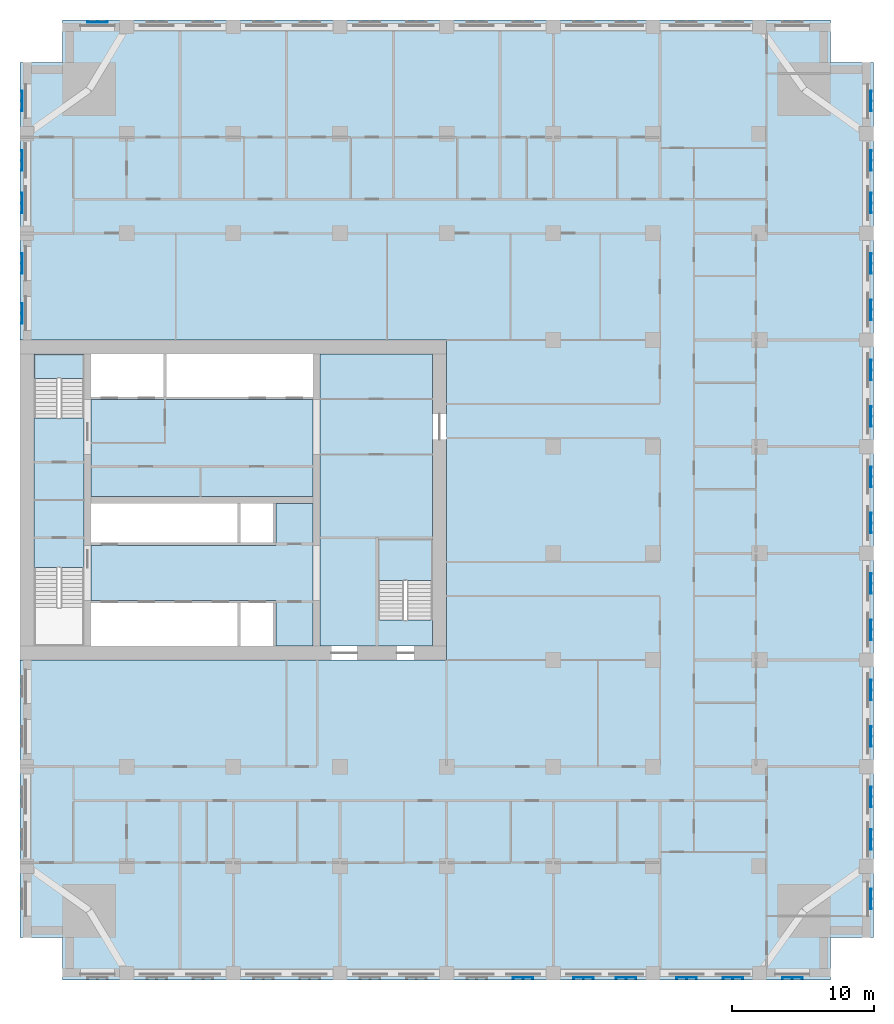
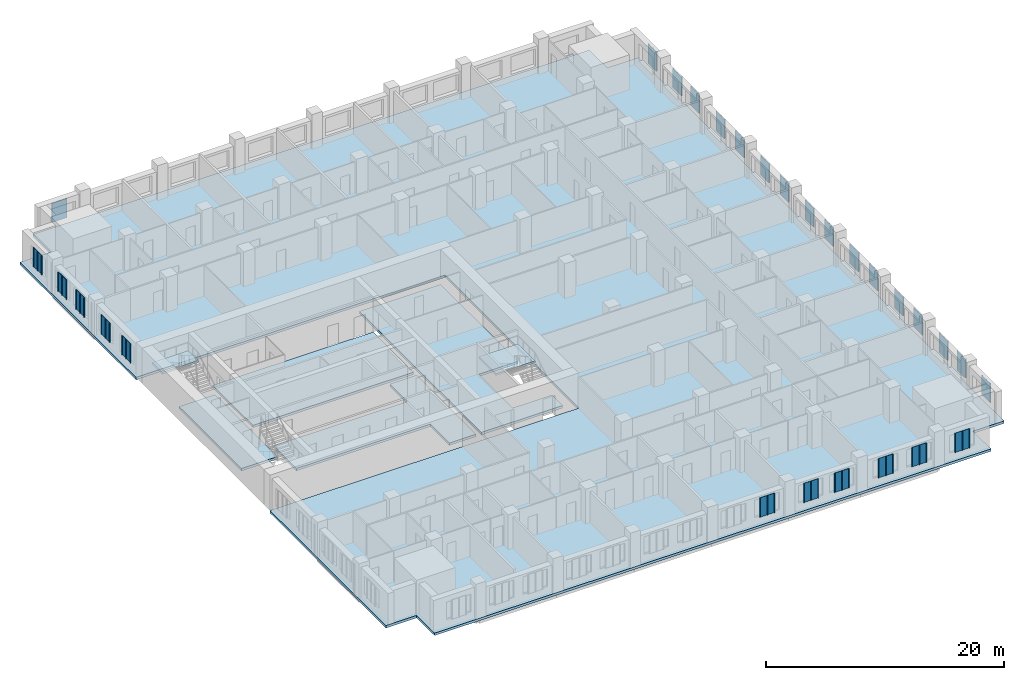
# One storey, part 2 of 14: 28 plates, 7 slabs, 2 elements without a shape of their own.
"""IFC4 building model written with IfcOpenShell, lengths in metres."""

from ifc_helpers import new_model, si_unit, direction, frame, origin, place, context, subcontext, project, spatial, polyline, outline, extrude, material, layer, layer_set, type_object, element, aggregate, save


model = new_model("IFC4")

# Units and contexts
model_context = context("Model", 3, precision=1e-05, world=origin(), true_north=direction((0.0, 1.0)))
body_context = subcontext(model_context, "Body", "Model", "MODEL_VIEW")
ifc_project = project(units=[si_unit("LENGTHUNIT", "METRE"), si_unit("AREAUNIT", "SQUARE_METRE"), si_unit("VOLUMEUNIT", "CUBIC_METRE"), si_unit("PLANEANGLEUNIT", "RADIAN"), si_unit("MASSUNIT", "GRAM", prefix="KILO")], contexts=[model_context])

# Site, building, storey
site_placement = place(None, origin())
site = spatial("IfcSite", under=ifc_project, at=site_placement, CompositionType="ELEMENT")
building_placement = place(site_placement, origin())
building = spatial("IfcBuilding", under=site, at=building_placement, Name="Tamorin Gate", CompositionType="ELEMENT")
storey_placement = place(building_placement, frame((0.0, 0.0, 115.10009765625)))
storey = spatial("IfcBuildingStorey", under=building, at=storey_placement, Name="L28", CompositionType="ELEMENT", Elevation=115.10009765625)

# Slabs
ifc_material_1 = material(Name="Concrete C40/50", Category="concrete")
ifc_layer_1 = layer(ifc_material_1, 0.25)
ifc_layer_set_1 = layer_set([ifc_layer_1], Name="Core floor slab 250 C40/50")
slab_type_1 = type_object("IfcSlabType", Name="Core floor slab 250 C40/50", PredefinedType="FLOOR", material=ifc_layer_set_1)
slab_1_placement = place(storey_placement, frame((0.0, 0.0, -0.25)))
element("IfcSlab", 1, at=slab_1_placement, inside=storey, type_object=slab_type_1, Name="Core floor L28", PredefinedType="FLOOR", context=body_context, shape_type="SweptSolid", body=[
    extrude(outline(polyline([(59.0, 62.800048828125), (59.0, 61.0), (51.10009765625, 61.0), (51.10009765625, 81.5), (59.0, 81.5), (59.0, 68.5), (55.199951171875, 68.5), (55.199951171875, 62.800048828125), (59.0, 62.800048828125)])), origin(), (0.0, 0.0, 1.0), 0.25),
])
slab_2_placement = place(storey_placement, frame((0.0, 0.0, -0.25)))
element("IfcSlab", 2, at=slab_2_placement, inside=storey, type_object=slab_type_1, Name="Core floor L28", PredefinedType="FLOOR", context=body_context, shape_type="SweptSolid", body=[
    extrude(outline(polyline([(50.60009765625, 61.0), (48.0, 61.0), (48.0, 64.199951171875), (35.0, 64.199951171875), (35.0, 68.050048828125), (48.0, 68.050048828125), (48.0, 71.0), (50.60009765625, 71.0), (50.60009765625, 61.0)])), origin(), (0.0, 0.0, 1.0), 0.25),
])
slab_3_placement = place(storey_placement, frame((0.0, 0.0, -0.25)))
element("IfcSlab", 3, at=slab_3_placement, inside=storey, type_object=slab_type_1, Name="Core floor L28", PredefinedType="FLOOR", context=body_context, shape_type="SweptSolid", body=[
    extrude(outline(polyline([(50.60009765625, 71.5), (35.0, 71.5), (35.0, 78.300048828125), (50.60009765625, 78.300048828125), (50.60009765625, 71.5)])), origin(), (0.0, 0.0, 1.0), 0.25),
])
slab_4_placement = place(storey_placement, frame((0.0, 0.0, -0.25)))
element("IfcSlab", 4, at=slab_4_placement, inside=storey, type_object=slab_type_1, Name="Core floor L28", PredefinedType="FLOOR", context=body_context, shape_type="SweptSolid", body=[
    extrude(outline(polyline([(31.0, 66.5), (31.0, 77.0), (34.5, 77.0), (34.5, 66.5), (31.0, 66.5)])), origin(), (0.0, 0.0, 1.0), 0.25),
])

# Stair, slab
stair_type = type_object("IfcStairType", Name="Exit stair", PredefinedType="HALF_TURN_STAIR", material=ifc_material_1)
stair_1_placement = place(storey_placement, origin())
stair_1 = element("IfcStair", 5, at=stair_1_placement, inside=storey, type_object=stair_type, Name="L28 stair ST2", PredefinedType="HALF_TURN_STAIR")
ifc_layer_2 = layer(ifc_material_1, 0.199951171875)
ifc_layer_set_2 = layer_set([ifc_layer_2], Name="Exit stair landing 200")
slab_type_2 = type_object("IfcSlabType", Name="Exit stair landing 200", PredefinedType="LANDING", material=ifc_layer_set_2)
slab_5_placement = place(storey_placement, frame((0.0, 0.0, 1.599853515625)))
slab_5 = element("IfcSlab", 6, at=slab_5_placement, type_object=slab_type_2, Name="ST2 landing 1", PredefinedType="LANDING", context=body_context, shape_type="SweptSolid", body=[
    extrude(outline(polyline([(34.5, 79.800048828125), (34.5, 81.5), (31.0, 81.5), (31.0, 79.800048828125), (34.5, 79.800048828125)])), origin(), (0.0, 0.0, 1.0), 0.199951171875),
])
aggregate(stair_1, [slab_5])

stair_2_placement = place(storey_placement, origin())
stair_2 = element("IfcStair", 7, at=stair_2_placement, inside=storey, type_object=stair_type, Name="L28 stair ST3", PredefinedType="HALF_TURN_STAIR")
slab_6_placement = place(storey_placement, frame((0.0, 0.0, 1.599853515625)))
slab_6 = element("IfcSlab", 8, at=slab_6_placement, type_object=slab_type_2, Name="ST3 landing 1", PredefinedType="LANDING", context=body_context, shape_type="SweptSolid", body=[
    extrude(outline(polyline([(59.0, 65.60009765625), (59.0, 68.5), (55.199951171875, 68.5), (55.199951171875, 65.60009765625), (59.0, 65.60009765625)])), origin(), (0.0, 0.0, 1.0), 0.199951171875),
])
aggregate(stair_2, [slab_6])

# Slab
ifc_layer_3 = layer(ifc_material_1, 0.25)
ifc_layer_set_3 = layer_set([ifc_layer_3], Name="Floor slab 250 C40/50")
slab_type_3 = type_object("IfcSlabType", Name="Floor slab 250 C40/50", PredefinedType="FLOOR", material=ifc_layer_set_3)
slab_7_placement = place(storey_placement, frame((0.0, 0.0, -0.25)))
element("IfcSlab", 9, at=slab_7_placement, inside=storey, type_object=slab_type_3, Name="Floor L28", PredefinedType="FLOOR", context=body_context, shape_type="SweptSolid", body=[
    extrude(outline(polyline([(30.0, 102.0), (33.0, 102.0), (33.0, 105.0), (87.0, 105.0), (87.0, 102.0), (90.0, 102.0), (90.0, 40.5), (87.0, 40.5), (87.0, 37.5), (33.0, 37.5), (33.0, 40.5), (30.0, 40.5), (30.0, 60.0), (60.0, 60.0), (60.0, 82.5), (30.0, 82.5), (30.0, 102.0)])), origin(), (0.0, 0.0, 1.0), 0.25),
])

# Plates
ifc_material_2 = material(Name="Perforated pale aluminium sheet", Category="aluminium")
ifc_layer_4 = layer(ifc_material_2, 0.0400390625)
ifc_layer_set_4 = layer_set([ifc_layer_4], Name="Pale metal solar screen 1440")
plate_type = type_object("IfcPlateType", Name="Pale metal solar screen 1440", PredefinedType="SHEET", material=ifc_layer_set_4)
plate_1_placement = place(storey_placement, frame((0.0, 0.0, 0.7099609375)))
element("IfcPlate", 10, at=plate_1_placement, inside=storey, type_object=plate_type, Name="Perforated solar screen", PredefinedType="SHEET", context=body_context, shape_type="SweptSolid", body=[
    extrude(outline(polyline([(64.655029296875, 37.659912109375), (64.655029296875, 37.699951171875), (64.715087890625, 37.699951171875), (65.344970703125, 37.699951171875), (65.405029296875, 37.699951171875), (66.034912109375, 37.699951171875), (66.094970703125, 37.699951171875), (66.094970703125, 37.659912109375), (66.094970703125, 37.60009765625), (66.034912109375, 37.60009765625), (66.034912109375, 37.659912109375), (65.405029296875, 37.659912109375), (65.405029296875, 37.60009765625), (65.344970703125, 37.60009765625), (65.344970703125, 37.659912109375), (64.715087890625, 37.659912109375), (64.715087890625, 37.60009765625), (64.655029296875, 37.60009765625), (64.655029296875, 37.659912109375)])), origin(), (0.0, 0.0, 1.0), 1.97998046875),
])
plate_2_placement = place(storey_placement, frame((0.0, 0.0, 0.7099609375)))
element("IfcPlate", 11, at=plate_2_placement, inside=storey, type_object=plate_type, Name="Perforated solar screen", PredefinedType="SHEET", context=body_context, shape_type="SweptSolid", body=[
    extrude(outline(polyline([(68.905029296875, 37.659912109375), (68.905029296875, 37.699951171875), (68.965087890625, 37.699951171875), (69.594970703125, 37.699951171875), (69.655029296875, 37.699951171875), (70.284912109375, 37.699951171875), (70.344970703125, 37.699951171875), (70.344970703125, 37.659912109375), (70.344970703125, 37.60009765625), (70.284912109375, 37.60009765625), (70.284912109375, 37.659912109375), (69.655029296875, 37.659912109375), (69.655029296875, 37.60009765625), (69.594970703125, 37.60009765625), (69.594970703125, 37.659912109375), (68.965087890625, 37.659912109375), (68.965087890625, 37.60009765625), (68.905029296875, 37.60009765625), (68.905029296875, 37.659912109375)])), origin(), (0.0, 0.0, 1.0), 1.97998046875),
])
plate_3_placement = place(storey_placement, frame((0.0, 0.0, 0.7099609375)))
element("IfcPlate", 12, at=plate_3_placement, inside=storey, type_object=plate_type, Name="Perforated solar screen", PredefinedType="SHEET", context=body_context, shape_type="SweptSolid", body=[
    extrude(outline(polyline([(71.905029296875, 37.659912109375), (71.905029296875, 37.699951171875), (71.965087890625, 37.699951171875), (72.594970703125, 37.699951171875), (72.655029296875, 37.699951171875), (73.284912109375, 37.699951171875), (73.344970703125, 37.699951171875), (73.344970703125, 37.659912109375), (73.344970703125, 37.60009765625), (73.284912109375, 37.60009765625), (73.284912109375, 37.659912109375), (72.655029296875, 37.659912109375), (72.655029296875, 37.60009765625), (72.594970703125, 37.60009765625), (72.594970703125, 37.659912109375), (71.965087890625, 37.659912109375), (71.965087890625, 37.60009765625), (71.905029296875, 37.60009765625), (71.905029296875, 37.659912109375)])), origin(), (0.0, 0.0, 1.0), 1.97998046875),
])
plate_4_placement = place(storey_placement, frame((0.0, 0.0, 0.7099609375)))
element("IfcPlate", 13, at=plate_4_placement, inside=storey, type_object=plate_type, Name="Perforated solar screen", PredefinedType="SHEET", context=body_context, shape_type="SweptSolid", body=[
    extrude(outline(polyline([(76.155029296875, 37.659912109375), (76.155029296875, 37.699951171875), (76.215087890625, 37.699951171875), (76.844970703125, 37.699951171875), (76.905029296875, 37.699951171875), (77.534912109375, 37.699951171875), (77.594970703125, 37.699951171875), (77.594970703125, 37.659912109375), (77.594970703125, 37.60009765625), (77.534912109375, 37.60009765625), (77.534912109375, 37.659912109375), (76.905029296875, 37.659912109375), (76.905029296875, 37.60009765625), (76.844970703125, 37.60009765625), (76.844970703125, 37.659912109375), (76.215087890625, 37.659912109375), (76.215087890625, 37.60009765625), (76.155029296875, 37.60009765625), (76.155029296875, 37.659912109375)])), origin(), (0.0, 0.0, 1.0), 1.97998046875),
])
plate_5_placement = place(storey_placement, frame((0.0, 0.0, 0.7099609375)))
element("IfcPlate", 14, at=plate_5_placement, inside=storey, type_object=plate_type, Name="Perforated solar screen", PredefinedType="SHEET", context=body_context, shape_type="SweptSolid", body=[
    extrude(outline(polyline([(79.405029296875, 37.659912109375), (79.405029296875, 37.699951171875), (79.465087890625, 37.699951171875), (80.094970703125, 37.699951171875), (80.155029296875, 37.699951171875), (80.784912109375, 37.699951171875), (80.844970703125, 37.699951171875), (80.844970703125, 37.659912109375), (80.844970703125, 37.60009765625), (80.784912109375, 37.60009765625), (80.784912109375, 37.659912109375), (80.155029296875, 37.659912109375), (80.155029296875, 37.60009765625), (80.094970703125, 37.60009765625), (80.094970703125, 37.659912109375), (79.465087890625, 37.659912109375), (79.465087890625, 37.60009765625), (79.405029296875, 37.60009765625), (79.405029296875, 37.659912109375)])), origin(), (0.0, 0.0, 1.0), 1.97998046875),
])
plate_6_placement = place(storey_placement, frame((0.0, 0.0, 0.7099609375)))
element("IfcPlate", 15, at=plate_6_placement, inside=storey, type_object=plate_type, Name="Perforated solar screen", PredefinedType="SHEET", context=body_context, shape_type="SweptSolid", body=[
    extrude(outline(polyline([(83.580078125, 37.659912109375), (83.580078125, 37.699951171875), (83.639892578125, 37.699951171875), (84.27001953125, 37.699951171875), (84.330078125, 37.699951171875), (84.9599609375, 37.699951171875), (85.02001953125, 37.699951171875), (85.02001953125, 37.659912109375), (85.02001953125, 37.60009765625), (84.9599609375, 37.60009765625), (84.9599609375, 37.659912109375), (84.330078125, 37.659912109375), (84.330078125, 37.60009765625), (84.27001953125, 37.60009765625), (84.27001953125, 37.659912109375), (83.639892578125, 37.659912109375), (83.639892578125, 37.60009765625), (83.580078125, 37.60009765625), (83.580078125, 37.659912109375)])), origin(), (0.0, 0.0, 1.0), 1.97998046875),
])
plate_7_placement = place(storey_placement, frame((0.0, 0.0, 0.7099609375)))
element("IfcPlate", 16, at=plate_7_placement, inside=storey, type_object=plate_type, Name="Perforated solar screen", PredefinedType="SHEET", context=body_context, shape_type="SweptSolid", body=[
    extrude(outline(polyline([(89.840087890625, 42.47998046875), (89.800048828125, 42.47998046875), (89.800048828125, 42.5400390625), (89.800048828125, 43.169921875), (89.800048828125, 43.22998046875), (89.800048828125, 43.860107421875), (89.800048828125, 43.919921875), (89.840087890625, 43.919921875), (89.89990234375, 43.919921875), (89.89990234375, 43.860107421875), (89.840087890625, 43.860107421875), (89.840087890625, 43.22998046875), (89.89990234375, 43.22998046875), (89.89990234375, 43.169921875), (89.840087890625, 43.169921875), (89.840087890625, 42.5400390625), (89.89990234375, 42.5400390625), (89.89990234375, 42.47998046875), (89.840087890625, 42.47998046875)])), origin(), (0.0, 0.0, 1.0), 1.97998046875),
])
plate_8_placement = place(storey_placement, frame((0.0, 0.0, 0.7099609375)))
element("IfcPlate", 17, at=plate_8_placement, inside=storey, type_object=plate_type, Name="Perforated solar screen", PredefinedType="SHEET", context=body_context, shape_type="SweptSolid", body=[
    extrude(outline(polyline([(89.840087890625, 46.655029296875), (89.800048828125, 46.655029296875), (89.800048828125, 46.715087890625), (89.800048828125, 47.344970703125), (89.800048828125, 47.405029296875), (89.800048828125, 48.034912109375), (89.800048828125, 48.094970703125), (89.800048828125, 48.094970703125), (89.840087890625, 48.094970703125), (89.840087890625, 48.094970703125), (89.89990234375, 48.094970703125), (89.89990234375, 48.034912109375), (89.840087890625, 48.034912109375), (89.840087890625, 47.405029296875), (89.89990234375, 47.405029296875), (89.89990234375, 47.344970703125), (89.840087890625, 47.344970703125), (89.840087890625, 46.715087890625), (89.89990234375, 46.715087890625), (89.89990234375, 46.655029296875), (89.840087890625, 46.655029296875)])), origin(), (0.0, 0.0, 1.0), 1.97998046875),
])
plate_9_placement = place(storey_placement, frame((0.0, 0.0, 0.7099609375)))
element("IfcPlate", 18, at=plate_9_placement, inside=storey, type_object=plate_type, Name="Perforated solar screen", PredefinedType="SHEET", context=body_context, shape_type="SweptSolid", body=[
    extrude(outline(polyline([(89.840087890625, 49.655029296875), (89.800048828125, 49.655029296875), (89.800048828125, 49.715087890625), (89.800048828125, 50.344970703125), (89.800048828125, 50.405029296875), (89.800048828125, 51.034912109375), (89.800048828125, 51.094970703125), (89.840087890625, 51.094970703125), (89.89990234375, 51.094970703125), (89.89990234375, 51.034912109375), (89.840087890625, 51.034912109375), (89.840087890625, 50.405029296875), (89.89990234375, 50.405029296875), (89.89990234375, 50.344970703125), (89.840087890625, 50.344970703125), (89.840087890625, 49.715087890625), (89.89990234375, 49.715087890625), (89.89990234375, 49.655029296875), (89.840087890625, 49.655029296875)])), origin(), (0.0, 0.0, 1.0), 1.97998046875),
])
plate_10_placement = place(storey_placement, frame((0.0, 0.0, 0.7099609375)))
element("IfcPlate", 19, at=plate_10_placement, inside=storey, type_object=plate_type, Name="Perforated solar screen", PredefinedType="SHEET", context=body_context, shape_type="SweptSolid", body=[
    extrude(outline(polyline([(89.840087890625, 53.905029296875), (89.800048828125, 53.905029296875), (89.800048828125, 53.965087890625), (89.800048828125, 54.594970703125), (89.800048828125, 54.655029296875), (89.800048828125, 55.284912109375), (89.800048828125, 55.344970703125), (89.840087890625, 55.344970703125), (89.89990234375, 55.344970703125), (89.89990234375, 55.284912109375), (89.840087890625, 55.284912109375), (89.840087890625, 54.655029296875), (89.89990234375, 54.655029296875), (89.89990234375, 54.594970703125), (89.840087890625, 54.594970703125), (89.840087890625, 53.965087890625), (89.89990234375, 53.965087890625), (89.89990234375, 53.905029296875), (89.840087890625, 53.905029296875)])), origin(), (0.0, 0.0, 1.0), 1.97998046875),
])
plate_11_placement = place(storey_placement, frame((0.0, 0.0, 0.7099609375)))
element("IfcPlate", 20, at=plate_11_placement, inside=storey, type_object=plate_type, Name="Perforated solar screen", PredefinedType="SHEET", context=body_context, shape_type="SweptSolid", body=[
    extrude(outline(polyline([(89.840087890625, 57.155029296875), (89.800048828125, 57.155029296875), (89.800048828125, 57.215087890625), (89.800048828125, 57.844970703125), (89.800048828125, 57.905029296875), (89.800048828125, 58.534912109375), (89.800048828125, 58.594970703125), (89.840087890625, 58.594970703125), (89.89990234375, 58.594970703125), (89.89990234375, 58.534912109375), (89.840087890625, 58.534912109375), (89.840087890625, 57.905029296875), (89.89990234375, 57.905029296875), (89.89990234375, 57.844970703125), (89.840087890625, 57.844970703125), (89.840087890625, 57.215087890625), (89.89990234375, 57.215087890625), (89.89990234375, 57.155029296875), (89.840087890625, 57.155029296875)])), origin(), (0.0, 0.0, 1.0), 1.97998046875),
])
plate_12_placement = place(storey_placement, frame((0.0, 0.0, 0.7099609375)))
element("IfcPlate", 21, at=plate_12_placement, inside=storey, type_object=plate_type, Name="Perforated solar screen", PredefinedType="SHEET", context=body_context, shape_type="SweptSolid", body=[
    extrude(outline(polyline([(89.840087890625, 61.405029296875), (89.800048828125, 61.405029296875), (89.800048828125, 61.465087890625), (89.800048828125, 62.094970703125), (89.800048828125, 62.155029296875), (89.800048828125, 62.784912109375), (89.800048828125, 62.844970703125), (89.840087890625, 62.844970703125), (89.89990234375, 62.844970703125), (89.89990234375, 62.784912109375), (89.840087890625, 62.784912109375), (89.840087890625, 62.155029296875), (89.89990234375, 62.155029296875), (89.89990234375, 62.094970703125), (89.840087890625, 62.094970703125), (89.840087890625, 61.465087890625), (89.89990234375, 61.465087890625), (89.89990234375, 61.405029296875), (89.840087890625, 61.405029296875)])), origin(), (0.0, 0.0, 1.0), 1.97998046875),
])
plate_13_placement = place(storey_placement, frame((0.0, 0.0, 0.7099609375)))
element("IfcPlate", 22, at=plate_13_placement, inside=storey, type_object=plate_type, Name="Perforated solar screen", PredefinedType="SHEET", context=body_context, shape_type="SweptSolid", body=[
    extrude(outline(polyline([(89.840087890625, 64.655029296875), (89.800048828125, 64.655029296875), (89.800048828125, 64.715087890625), (89.800048828125, 65.344970703125), (89.800048828125, 65.405029296875), (89.800048828125, 66.034912109375), (89.800048828125, 66.094970703125), (89.840087890625, 66.094970703125), (89.89990234375, 66.094970703125), (89.89990234375, 66.034912109375), (89.840087890625, 66.034912109375), (89.840087890625, 65.405029296875), (89.89990234375, 65.405029296875), (89.89990234375, 65.344970703125), (89.840087890625, 65.344970703125), (89.840087890625, 64.715087890625), (89.89990234375, 64.715087890625), (89.89990234375, 64.655029296875), (89.840087890625, 64.655029296875)])), origin(), (0.0, 0.0, 1.0), 1.97998046875),
])
plate_14_placement = place(storey_placement, frame((0.0, 0.0, 0.7099609375)))
element("IfcPlate", 23, at=plate_14_placement, inside=storey, type_object=plate_type, Name="Perforated solar screen", PredefinedType="SHEET", context=body_context, shape_type="SweptSolid", body=[
    extrude(outline(polyline([(89.840087890625, 68.905029296875), (89.800048828125, 68.905029296875), (89.800048828125, 68.965087890625), (89.800048828125, 69.594970703125), (89.800048828125, 69.655029296875), (89.800048828125, 70.284912109375), (89.800048828125, 70.344970703125), (89.840087890625, 70.344970703125), (89.89990234375, 70.344970703125), (89.89990234375, 70.284912109375), (89.840087890625, 70.284912109375), (89.840087890625, 69.655029296875), (89.89990234375, 69.655029296875), (89.89990234375, 69.594970703125), (89.840087890625, 69.594970703125), (89.840087890625, 68.965087890625), (89.89990234375, 68.965087890625), (89.89990234375, 68.905029296875), (89.840087890625, 68.905029296875)])), origin(), (0.0, 0.0, 1.0), 1.97998046875),
])
plate_15_placement = place(storey_placement, frame((0.0, 0.0, 0.7099609375)))
element("IfcPlate", 24, at=plate_15_placement, inside=storey, type_object=plate_type, Name="Perforated solar screen", PredefinedType="SHEET", context=body_context, shape_type="SweptSolid", body=[
    extrude(outline(polyline([(89.840087890625, 72.155029296875), (89.800048828125, 72.155029296875), (89.800048828125, 72.215087890625), (89.800048828125, 72.844970703125), (89.800048828125, 72.905029296875), (89.800048828125, 73.534912109375), (89.800048828125, 73.594970703125), (89.840087890625, 73.594970703125), (89.89990234375, 73.594970703125), (89.89990234375, 73.534912109375), (89.840087890625, 73.534912109375), (89.840087890625, 72.905029296875), (89.89990234375, 72.905029296875), (89.89990234375, 72.844970703125), (89.840087890625, 72.844970703125), (89.840087890625, 72.215087890625), (89.89990234375, 72.215087890625), (89.89990234375, 72.155029296875), (89.840087890625, 72.155029296875)])), origin(), (0.0, 0.0, 1.0), 1.97998046875),
])
plate_16_placement = place(storey_placement, frame((0.0, 0.0, 0.7099609375)))
element("IfcPlate", 25, at=plate_16_placement, inside=storey, type_object=plate_type, Name="Perforated solar screen", PredefinedType="SHEET", context=body_context, shape_type="SweptSolid", body=[
    extrude(outline(polyline([(89.840087890625, 76.405029296875), (89.800048828125, 76.405029296875), (89.800048828125, 76.465087890625), (89.800048828125, 77.094970703125), (89.800048828125, 77.155029296875), (89.800048828125, 77.784912109375), (89.800048828125, 77.844970703125), (89.840087890625, 77.844970703125), (89.89990234375, 77.844970703125), (89.89990234375, 77.784912109375), (89.840087890625, 77.784912109375), (89.840087890625, 77.155029296875), (89.89990234375, 77.155029296875), (89.89990234375, 77.094970703125), (89.840087890625, 77.094970703125), (89.840087890625, 76.465087890625), (89.89990234375, 76.465087890625), (89.89990234375, 76.405029296875), (89.840087890625, 76.405029296875)])), origin(), (0.0, 0.0, 1.0), 1.97998046875),
])
plate_17_placement = place(storey_placement, frame((0.0, 0.0, 0.7099609375)))
element("IfcPlate", 26, at=plate_17_placement, inside=storey, type_object=plate_type, Name="Perforated solar screen", PredefinedType="SHEET", context=body_context, shape_type="SweptSolid", body=[
    extrude(outline(polyline([(89.840087890625, 79.655029296875), (89.800048828125, 79.655029296875), (89.800048828125, 79.715087890625), (89.800048828125, 80.344970703125), (89.800048828125, 80.405029296875), (89.800048828125, 81.034912109375), (89.800048828125, 81.094970703125), (89.840087890625, 81.094970703125), (89.89990234375, 81.094970703125), (89.89990234375, 81.034912109375), (89.840087890625, 81.034912109375), (89.840087890625, 80.405029296875), (89.89990234375, 80.405029296875), (89.89990234375, 80.344970703125), (89.840087890625, 80.344970703125), (89.840087890625, 79.715087890625), (89.89990234375, 79.715087890625), (89.89990234375, 79.655029296875), (89.840087890625, 79.655029296875)])), origin(), (0.0, 0.0, 1.0), 1.97998046875),
])
plate_18_placement = place(storey_placement, frame((0.0, 0.0, 0.7099609375)))
element("IfcPlate", 27, at=plate_18_placement, inside=storey, type_object=plate_type, Name="Perforated solar screen", PredefinedType="SHEET", context=body_context, shape_type="SweptSolid", body=[
    extrude(outline(polyline([(89.840087890625, 83.905029296875), (89.800048828125, 83.905029296875), (89.800048828125, 83.965087890625), (89.800048828125, 84.594970703125), (89.800048828125, 84.655029296875), (89.800048828125, 85.284912109375), (89.800048828125, 85.344970703125), (89.840087890625, 85.344970703125), (89.89990234375, 85.344970703125), (89.89990234375, 85.284912109375), (89.840087890625, 85.284912109375), (89.840087890625, 84.655029296875), (89.89990234375, 84.655029296875), (89.89990234375, 84.594970703125), (89.840087890625, 84.594970703125), (89.840087890625, 83.965087890625), (89.89990234375, 83.965087890625), (89.89990234375, 83.905029296875), (89.840087890625, 83.905029296875)])), origin(), (0.0, 0.0, 1.0), 1.97998046875),
])
plate_19_placement = place(storey_placement, frame((0.0, 0.0, 0.7099609375)))
element("IfcPlate", 28, at=plate_19_placement, inside=storey, type_object=plate_type, Name="Perforated solar screen", PredefinedType="SHEET", context=body_context, shape_type="SweptSolid", body=[
    extrude(outline(polyline([(89.840087890625, 87.155029296875), (89.800048828125, 87.155029296875), (89.800048828125, 87.215087890625), (89.800048828125, 87.844970703125), (89.800048828125, 87.905029296875), (89.800048828125, 88.534912109375), (89.800048828125, 88.594970703125), (89.840087890625, 88.594970703125), (89.89990234375, 88.594970703125), (89.89990234375, 88.534912109375), (89.840087890625, 88.534912109375), (89.840087890625, 87.905029296875), (89.89990234375, 87.905029296875), (89.89990234375, 87.844970703125), (89.840087890625, 87.844970703125), (89.840087890625, 87.215087890625), (89.89990234375, 87.215087890625), (89.89990234375, 87.155029296875), (89.840087890625, 87.155029296875)])), origin(), (0.0, 0.0, 1.0), 1.97998046875),
])
plate_20_placement = place(storey_placement, frame((0.0, 0.0, 0.7099609375)))
element("IfcPlate", 29, at=plate_20_placement, inside=storey, type_object=plate_type, Name="Perforated solar screen", PredefinedType="SHEET", context=body_context, shape_type="SweptSolid", body=[
    extrude(outline(polyline([(89.840087890625, 91.405029296875), (89.800048828125, 91.405029296875), (89.800048828125, 91.465087890625), (89.800048828125, 92.094970703125), (89.800048828125, 92.155029296875), (89.800048828125, 92.784912109375), (89.800048828125, 92.844970703125), (89.840087890625, 92.844970703125), (89.89990234375, 92.844970703125), (89.89990234375, 92.784912109375), (89.840087890625, 92.784912109375), (89.840087890625, 92.155029296875), (89.89990234375, 92.155029296875), (89.89990234375, 92.094970703125), (89.840087890625, 92.094970703125), (89.840087890625, 91.465087890625), (89.89990234375, 91.465087890625), (89.89990234375, 91.405029296875), (89.840087890625, 91.405029296875)])), origin(), (0.0, 0.0, 1.0), 1.97998046875),
])
plate_21_placement = place(storey_placement, frame((0.0, 0.0, 0.7099609375)))
element("IfcPlate", 30, at=plate_21_placement, inside=storey, type_object=plate_type, Name="Perforated solar screen", PredefinedType="SHEET", context=body_context, shape_type="SweptSolid", body=[
    extrude(outline(polyline([(89.840087890625, 94.405029296875), (89.800048828125, 94.405029296875), (89.800048828125, 94.465087890625), (89.800048828125, 95.094970703125), (89.800048828125, 95.155029296875), (89.800048828125, 95.784912109375), (89.800048828125, 95.844970703125), (89.840087890625, 95.844970703125), (89.89990234375, 95.844970703125), (89.89990234375, 95.784912109375), (89.840087890625, 95.784912109375), (89.840087890625, 95.155029296875), (89.89990234375, 95.155029296875), (89.89990234375, 95.094970703125), (89.840087890625, 95.094970703125), (89.840087890625, 94.465087890625), (89.89990234375, 94.465087890625), (89.89990234375, 94.405029296875), (89.840087890625, 94.405029296875)])), origin(), (0.0, 0.0, 1.0), 1.97998046875),
])
plate_22_placement = place(storey_placement, frame((0.0, 0.0, 0.7099609375)))
element("IfcPlate", 31, at=plate_22_placement, inside=storey, type_object=plate_type, Name="Perforated solar screen", PredefinedType="SHEET", context=body_context, shape_type="SweptSolid", body=[
    extrude(outline(polyline([(89.840087890625, 98.580078125), (89.800048828125, 98.580078125), (89.800048828125, 98.639892578125), (89.800048828125, 99.27001953125), (89.800048828125, 99.330078125), (89.800048828125, 99.9599609375), (89.800048828125, 100.02001953125), (89.840087890625, 100.02001953125), (89.89990234375, 100.02001953125), (89.89990234375, 99.9599609375), (89.840087890625, 99.9599609375), (89.840087890625, 99.330078125), (89.89990234375, 99.330078125), (89.89990234375, 99.27001953125), (89.840087890625, 99.27001953125), (89.840087890625, 98.639892578125), (89.89990234375, 98.639892578125), (89.89990234375, 98.580078125), (89.840087890625, 98.580078125)])), origin(), (0.0, 0.0, 1.0), 1.97998046875),
])
plate_23_placement = place(storey_placement, frame((0.0, 0.0, 0.7099609375)))
element("IfcPlate", 32, at=plate_23_placement, inside=storey, type_object=plate_type, Name="Perforated solar screen", PredefinedType="SHEET", context=body_context, shape_type="SweptSolid", body=[
    extrude(outline(polyline([(36.169921875, 104.840087890625), (36.169921875, 104.800048828125), (36.110107421875, 104.800048828125), (35.47998046875, 104.800048828125), (35.419921875, 104.800048828125), (34.7900390625, 104.800048828125), (34.72998046875, 104.800048828125), (34.72998046875, 104.840087890625), (34.72998046875, 104.89990234375), (34.7900390625, 104.89990234375), (34.7900390625, 104.840087890625), (35.419921875, 104.840087890625), (35.419921875, 104.89990234375), (35.47998046875, 104.89990234375), (35.47998046875, 104.840087890625), (36.110107421875, 104.840087890625), (36.110107421875, 104.89990234375), (36.169921875, 104.89990234375), (36.169921875, 104.840087890625)])), origin(), (0.0, 0.0, 1.0), 1.97998046875),
])
plate_24_placement = place(storey_placement, frame((0.0, 0.0, 0.7099609375)))
element("IfcPlate", 33, at=plate_24_placement, inside=storey, type_object=plate_type, Name="Perforated solar screen", PredefinedType="SHEET", context=body_context, shape_type="SweptSolid", body=[
    extrude(outline(polyline([(30.159912109375, 100.02001953125), (30.199951171875, 100.02001953125), (30.199951171875, 99.9599609375), (30.199951171875, 99.330078125), (30.199951171875, 99.27001953125), (30.199951171875, 98.639892578125), (30.199951171875, 98.580078125), (30.159912109375, 98.580078125), (30.10009765625, 98.580078125), (30.10009765625, 98.639892578125), (30.159912109375, 98.639892578125), (30.159912109375, 99.27001953125), (30.10009765625, 99.27001953125), (30.10009765625, 99.330078125), (30.159912109375, 99.330078125), (30.159912109375, 99.9599609375), (30.10009765625, 99.9599609375), (30.10009765625, 100.02001953125), (30.159912109375, 100.02001953125)])), origin(), (0.0, 0.0, 1.0), 1.97998046875),
])
plate_25_placement = place(storey_placement, frame((0.0, 0.0, 0.7099609375)))
element("IfcPlate", 34, at=plate_25_placement, inside=storey, type_object=plate_type, Name="Perforated solar screen", PredefinedType="SHEET", context=body_context, shape_type="SweptSolid", body=[
    extrude(outline(polyline([(30.159912109375, 92.844970703125), (30.199951171875, 92.844970703125), (30.199951171875, 92.784912109375), (30.199951171875, 92.155029296875), (30.199951171875, 92.094970703125), (30.199951171875, 91.465087890625), (30.199951171875, 91.405029296875), (30.159912109375, 91.405029296875), (30.10009765625, 91.405029296875), (30.10009765625, 91.465087890625), (30.159912109375, 91.465087890625), (30.159912109375, 92.094970703125), (30.10009765625, 92.094970703125), (30.10009765625, 92.155029296875), (30.159912109375, 92.155029296875), (30.159912109375, 92.784912109375), (30.10009765625, 92.784912109375), (30.10009765625, 92.844970703125), (30.159912109375, 92.844970703125)])), origin(), (0.0, 0.0, 1.0), 1.97998046875),
])
plate_26_placement = place(storey_placement, frame((0.0, 0.0, 0.7099609375)))
element("IfcPlate", 35, at=plate_26_placement, inside=storey, type_object=plate_type, Name="Perforated solar screen", PredefinedType="SHEET", context=body_context, shape_type="SweptSolid", body=[
    extrude(outline(polyline([(30.159912109375, 95.844970703125), (30.199951171875, 95.844970703125), (30.199951171875, 95.784912109375), (30.199951171875, 95.155029296875), (30.199951171875, 95.094970703125), (30.199951171875, 94.465087890625), (30.199951171875, 94.405029296875), (30.199951171875, 94.405029296875), (30.159912109375, 94.405029296875), (30.159912109375, 94.405029296875), (30.10009765625, 94.405029296875), (30.10009765625, 94.465087890625), (30.159912109375, 94.465087890625), (30.159912109375, 95.094970703125), (30.10009765625, 95.094970703125), (30.10009765625, 95.155029296875), (30.159912109375, 95.155029296875), (30.159912109375, 95.784912109375), (30.10009765625, 95.784912109375), (30.10009765625, 95.844970703125), (30.159912109375, 95.844970703125)])), origin(), (0.0, 0.0, 1.0), 1.97998046875),
])
plate_27_placement = place(storey_placement, frame((0.0, 0.0, 0.7099609375)))
element("IfcPlate", 36, at=plate_27_placement, inside=storey, type_object=plate_type, Name="Perforated solar screen", PredefinedType="SHEET", context=body_context, shape_type="SweptSolid", body=[
    extrude(outline(polyline([(30.159912109375, 85.094970703125), (30.199951171875, 85.094970703125), (30.199951171875, 85.034912109375), (30.199951171875, 84.405029296875), (30.199951171875, 84.344970703125), (30.199951171875, 83.715087890625), (30.199951171875, 83.655029296875), (30.159912109375, 83.655029296875), (30.10009765625, 83.655029296875), (30.10009765625, 83.715087890625), (30.159912109375, 83.715087890625), (30.159912109375, 84.344970703125), (30.10009765625, 84.344970703125), (30.10009765625, 84.405029296875), (30.159912109375, 84.405029296875), (30.159912109375, 85.034912109375), (30.10009765625, 85.034912109375), (30.10009765625, 85.094970703125), (30.159912109375, 85.094970703125)])), origin(), (0.0, 0.0, 1.0), 1.97998046875),
])
plate_28_placement = place(storey_placement, frame((0.0, 0.0, 0.7099609375)))
element("IfcPlate", 37, at=plate_28_placement, inside=storey, type_object=plate_type, Name="Perforated solar screen", PredefinedType="SHEET", context=body_context, shape_type="SweptSolid", body=[
    extrude(outline(polyline([(30.159912109375, 88.594970703125), (30.199951171875, 88.594970703125), (30.199951171875, 88.534912109375), (30.199951171875, 87.905029296875), (30.199951171875, 87.844970703125), (30.199951171875, 87.215087890625), (30.199951171875, 87.155029296875), (30.159912109375, 87.155029296875), (30.10009765625, 87.155029296875), (30.10009765625, 87.215087890625), (30.159912109375, 87.215087890625), (30.159912109375, 87.844970703125), (30.10009765625, 87.844970703125), (30.10009765625, 87.905029296875), (30.159912109375, 87.905029296875), (30.159912109375, 88.534912109375), (30.10009765625, 88.534912109375), (30.10009765625, 88.594970703125), (30.159912109375, 88.594970703125)])), origin(), (0.0, 0.0, 1.0), 1.97998046875),
])

save(model, "model.ifc")
